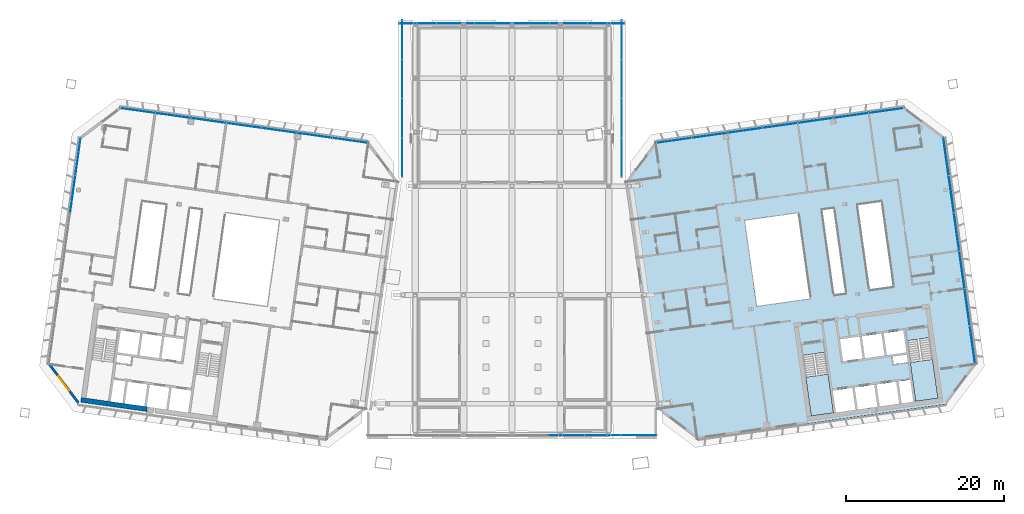
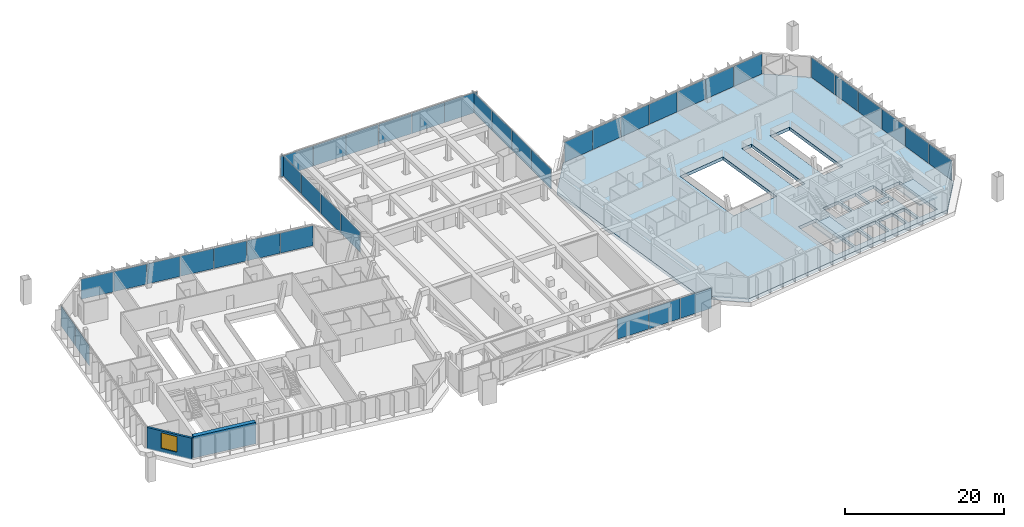
# One storey, part 17 of 30: 39 plates, 3 slabs, 2 walls, 1 window, 1 opening, 10 elements without a shape of their own.
"""IFC4 building model written with IfcOpenShell, lengths in metres."""

from ifc_helpers import new_model, si_unit, direction, frame, frame_2d, origin, origin_2d, place, context, subcontext, project, spatial, polyline, rectangle, outline, extrude, material, layer, layer_set, type_object, element, fill, aggregate, save


model = new_model("IFC4")

# Units and contexts
model_context = context("Model", 3, precision=1e-05, world=origin(), true_north=direction((0.0, 1.0)))
body_context = subcontext(model_context, "Body", "Model", "MODEL_VIEW")
ifc_project = project(units=[si_unit("LENGTHUNIT", "METRE"), si_unit("AREAUNIT", "SQUARE_METRE"), si_unit("VOLUMEUNIT", "CUBIC_METRE"), si_unit("PLANEANGLEUNIT", "RADIAN"), si_unit("MASSUNIT", "GRAM", prefix="KILO")], contexts=[model_context])

# Site, building, storey
site_placement = place(None, origin())
site = spatial("IfcSite", under=ifc_project, at=site_placement, CompositionType="ELEMENT")
building_placement = place(site_placement, origin())
building = spatial("IfcBuilding", under=site, at=building_placement, Name="Mirante Cascada Hotel Towers", CompositionType="ELEMENT")
storey_placement = place(building_placement, frame((0.0, 0.0, 258.4)))
storey = spatial("IfcBuildingStorey", under=building, at=storey_placement, Name="L62", CompositionType="ELEMENT", Elevation=258.4)

# Curtain wall, plates
ifc_material_1 = material(Name="Aluminium mullion and transom frame with clear laminated glass", Category="aluminium")
curtain_wall_type_1 = type_object("IfcCurtainWallType", Name="Ribbon curtain wall ECW1", PredefinedType="NOTDEFINED", material=ifc_material_1)
curtain_wall_1_placement = place(storey_placement, origin())
curtain_wall_1 = element("IfcCurtainWall", 1, at=curtain_wall_1_placement, inside=storey, type_object=curtain_wall_type_1, Name="Front ribbon wall T1 L62", PredefinedType="NOTDEFINED")
ifc_material_2 = material(Name="Clear laminated glass", Category="glass")
ifc_layer_1 = layer(ifc_material_2, 0.036)
ifc_layer_set_1 = layer_set([ifc_layer_1], Name="ECW1 glass panel 36")
plate_type_1 = type_object("IfcPlateType", Name="ECW1 glass panel 36", PredefinedType="CURTAIN_PANEL", material=ifc_layer_set_1)
plate_1_placement = place(storey_placement, frame((-47.3409, 19.4724, 0.1), z_axis=(0.0, 0.0, 1.0), x_axis=(0.9902681, -0.1391731, 0.0)))
plate_1 = element("IfcPlate", 2, at=plate_1_placement, type_object=plate_type_1, Name="ECW1 panel 1", PredefinedType="CURTAIN_PANEL", context=body_context, shape_type="SweptSolid", body=[
    extrude(rectangle(XDim=4.4247, YDim=0.036, at=origin_2d()), origin(), (0.0, 0.0, 1.0), 3.1),
])
plate_2_placement = place(storey_placement, frame((-42.8788, 18.8452, 0.1), z_axis=(0.0, 0.0, 1.0), x_axis=(0.9902681, -0.1391731, 0.0)))
plate_2 = element("IfcPlate", 3, at=plate_2_placement, type_object=plate_type_1, Name="ECW1 panel 2", PredefinedType="CURTAIN_PANEL", context=body_context, shape_type="SweptSolid", body=[
    extrude(rectangle(XDim=4.4572, YDim=0.036, at=origin_2d()), origin(), (0.0, 0.0, 1.0), 3.1),
])
plate_3_placement = place(storey_placement, frame((-38.4006, 18.2159, 0.1), z_axis=(0.0, 0.0, 1.0), x_axis=(0.9902681, -0.1391731, 0.0)))
plate_3 = element("IfcPlate", 4, at=plate_3_placement, type_object=plate_type_1, Name="ECW1 panel 3", PredefinedType="CURTAIN_PANEL", context=body_context, shape_type="SweptSolid", body=[
    extrude(rectangle(XDim=4.4572, YDim=0.036, at=origin_2d()), origin(), (0.0, 0.0, 1.0), 3.1),
])
plate_4_placement = place(storey_placement, frame((-33.9224, 17.5865, 0.1), z_axis=(0.0, 0.0, 1.0), x_axis=(0.9902681, -0.1391731, 0.0)))
plate_4 = element("IfcPlate", 5, at=plate_4_placement, type_object=plate_type_1, Name="ECW1 panel 4", PredefinedType="CURTAIN_PANEL", context=body_context, shape_type="SweptSolid", body=[
    extrude(rectangle(XDim=4.4572, YDim=0.036, at=origin_2d()), origin(), (0.0, 0.0, 1.0), 3.1),
])
plate_5_placement = place(storey_placement, frame((-29.4442, 16.9571, 0.1), z_axis=(0.0, 0.0, 1.0), x_axis=(0.9902681, -0.1391731, 0.0)))
plate_5 = element("IfcPlate", 6, at=plate_5_placement, type_object=plate_type_1, Name="ECW1 panel 5", PredefinedType="CURTAIN_PANEL", context=body_context, shape_type="SweptSolid", body=[
    extrude(rectangle(XDim=4.4572, YDim=0.036, at=origin_2d()), origin(), (0.0, 0.0, 1.0), 3.1),
])
plate_6_placement = place(storey_placement, frame((-24.966, 16.3278, 0.1), z_axis=(0.0, 0.0, 1.0), x_axis=(0.9902681, -0.1391731, 0.0)))
plate_6 = element("IfcPlate", 7, at=plate_6_placement, type_object=plate_type_1, Name="ECW1 panel 6", PredefinedType="CURTAIN_PANEL", context=body_context, shape_type="SweptSolid", body=[
    extrude(rectangle(XDim=4.4572, YDim=0.036, at=origin_2d()), origin(), (0.0, 0.0, 1.0), 3.1),
])
plate_7_placement = place(storey_placement, frame((-20.5039, 15.7007, 0.1), z_axis=(0.0, 0.0, 1.0), x_axis=(0.9902681, -0.1391731, 0.0)))
plate_7 = element("IfcPlate", 8, at=plate_7_placement, type_object=plate_type_1, Name="ECW1 panel 7", PredefinedType="CURTAIN_PANEL", context=body_context, shape_type="SweptSolid", body=[
    extrude(rectangle(XDim=4.4247, YDim=0.036, at=origin_2d()), origin(), (0.0, 0.0, 1.0), 3.1),
])
aggregate(curtain_wall_1, [plate_1, plate_2, plate_3, plate_4, plate_5, plate_6, plate_7])

curtain_wall_2_placement = place(storey_placement, origin())
curtain_wall_2 = element("IfcCurtainWall", 9, at=curtain_wall_2_placement, inside=storey, type_object=curtain_wall_type_1, Name="Front ribbon wall T2 L62", PredefinedType="NOTDEFINED")
plate_8_placement = place(storey_placement, frame((47.3409, 19.4724, 0.1), z_axis=(0.0, 0.0, 1.0), x_axis=(-0.9902681, -0.1391731, 0.0)))
plate_8 = element("IfcPlate", 10, at=plate_8_placement, type_object=plate_type_1, Name="ECW1 panel 1", PredefinedType="CURTAIN_PANEL", context=body_context, shape_type="SweptSolid", body=[
    extrude(rectangle(XDim=4.4247, YDim=0.036, at=origin_2d()), origin(), (0.0, 0.0, 1.0), 3.1),
])
plate_9_placement = place(storey_placement, frame((42.8788, 18.8452, 0.1), z_axis=(0.0, 0.0, 1.0), x_axis=(-0.9902681, -0.1391731, 0.0)))
plate_9 = element("IfcPlate", 11, at=plate_9_placement, type_object=plate_type_1, Name="ECW1 panel 2", PredefinedType="CURTAIN_PANEL", context=body_context, shape_type="SweptSolid", body=[
    extrude(rectangle(XDim=4.4572, YDim=0.036, at=origin_2d()), origin(), (0.0, 0.0, 1.0), 3.1),
])
plate_10_placement = place(storey_placement, frame((38.4006, 18.2159, 0.1), z_axis=(0.0, 0.0, 1.0), x_axis=(-0.9902681, -0.1391731, 0.0)))
plate_10 = element("IfcPlate", 12, at=plate_10_placement, type_object=plate_type_1, Name="ECW1 panel 3", PredefinedType="CURTAIN_PANEL", context=body_context, shape_type="SweptSolid", body=[
    extrude(rectangle(XDim=4.4572, YDim=0.036, at=origin_2d()), origin(), (0.0, 0.0, 1.0), 3.1),
])
plate_11_placement = place(storey_placement, frame((33.9224, 17.5865, 0.1), z_axis=(0.0, 0.0, 1.0), x_axis=(-0.9902681, -0.1391731, 0.0)))
plate_11 = element("IfcPlate", 13, at=plate_11_placement, type_object=plate_type_1, Name="ECW1 panel 4", PredefinedType="CURTAIN_PANEL", context=body_context, shape_type="SweptSolid", body=[
    extrude(rectangle(XDim=4.4572, YDim=0.036, at=origin_2d()), origin(), (0.0, 0.0, 1.0), 3.1),
])
plate_12_placement = place(storey_placement, frame((29.4442, 16.9571, 0.1), z_axis=(0.0, 0.0, 1.0), x_axis=(-0.9902681, -0.1391731, 0.0)))
plate_12 = element("IfcPlate", 14, at=plate_12_placement, type_object=plate_type_1, Name="ECW1 panel 5", PredefinedType="CURTAIN_PANEL", context=body_context, shape_type="SweptSolid", body=[
    extrude(rectangle(XDim=4.4572, YDim=0.036, at=origin_2d()), origin(), (0.0, 0.0, 1.0), 3.1),
])
plate_13_placement = place(storey_placement, frame((24.966, 16.3278, 0.1), z_axis=(0.0, 0.0, 1.0), x_axis=(-0.9902681, -0.1391731, 0.0)))
plate_13 = element("IfcPlate", 15, at=plate_13_placement, type_object=plate_type_1, Name="ECW1 panel 6", PredefinedType="CURTAIN_PANEL", context=body_context, shape_type="SweptSolid", body=[
    extrude(rectangle(XDim=4.4572, YDim=0.036, at=origin_2d()), origin(), (0.0, 0.0, 1.0), 3.1),
])
plate_14_placement = place(storey_placement, frame((20.5039, 15.7007, 0.1), z_axis=(0.0, 0.0, 1.0), x_axis=(-0.9902681, -0.1391731, 0.0)))
plate_14 = element("IfcPlate", 16, at=plate_14_placement, type_object=plate_type_1, Name="ECW1 panel 7", PredefinedType="CURTAIN_PANEL", context=body_context, shape_type="SweptSolid", body=[
    extrude(rectangle(XDim=4.4247, YDim=0.036, at=origin_2d()), origin(), (0.0, 0.0, 1.0), 3.1),
])
aggregate(curtain_wall_2, [plate_8, plate_9, plate_10, plate_11, plate_12, plate_13, plate_14])

ifc_material_3 = material(Name="Aluminium mullion and transom frame with clear laminated glass", Category="aluminium")
curtain_wall_type_2 = type_object("IfcCurtainWallType", Name="End ribbon curtain wall ECW2", PredefinedType="NOTDEFINED", material=ifc_material_3)
curtain_wall_3_placement = place(storey_placement, origin())
curtain_wall_3 = element("IfcCurtainWall", 17, at=curtain_wall_3_placement, inside=storey, type_object=curtain_wall_type_2, Name="Outer end wall T1 L62", PredefinedType="NOTDEFINED")
ifc_material_4 = material(Name="Clear laminated glass", Category="glass")
ifc_layer_2 = layer(ifc_material_4, 0.034)
ifc_layer_set_2 = layer_set([ifc_layer_2], Name="ECW2 glass panel 34")
plate_type_2 = type_object("IfcPlateType", Name="ECW2 glass panel 34", PredefinedType="CURTAIN_PANEL", material=ifc_layer_set_2)
plate_15_placement = place(storey_placement, frame((-55.584, 8.8855, 0.1), z_axis=(0.0, 0.0, 1.0), x_axis=(0.1391731, 0.9902681, 0.0)))
plate_15 = element("IfcPlate", 18, at=plate_15_placement, type_object=plate_type_2, Name="ECW2 panel 5", PredefinedType="CURTAIN_PANEL", context=body_context, shape_type="SweptSolid", body=[
    extrude(rectangle(XDim=4.7476, YDim=0.034, at=origin_2d()), origin(), (0.0, 0.0, 1.0), 3.1),
])
plate_16_placement = place(storey_placement, frame((-54.9165, 13.6352, 0.1), z_axis=(0.0, 0.0, 1.0), x_axis=(0.1391731, 0.9902681, 0.0)))
plate_16 = element("IfcPlate", 19, at=plate_16_placement, type_object=plate_type_2, Name="ECW2 panel 6", PredefinedType="CURTAIN_PANEL", context=body_context, shape_type="SweptSolid", body=[
    extrude(rectangle(XDim=4.7151, YDim=0.034, at=origin_2d()), origin(), (0.0, 0.0, 1.0), 3.1),
])
aggregate(curtain_wall_3, [plate_15, plate_16])

curtain_wall_4_placement = place(storey_placement, origin())
curtain_wall_4 = element("IfcCurtainWall", 20, at=curtain_wall_4_placement, inside=storey, type_object=curtain_wall_type_2, Name="Outer end wall T2 L62", PredefinedType="NOTDEFINED")
plate_17_placement = place(storey_placement, frame((58.2609, -10.1616, 0.1), z_axis=(0.0, 0.0, 1.0), x_axis=(-0.1391731, 0.9902681, 0.0)))
plate_17 = element("IfcPlate", 21, at=plate_17_placement, type_object=plate_type_2, Name="ECW2 panel 1", PredefinedType="CURTAIN_PANEL", context=body_context, shape_type="SweptSolid", body=[
    extrude(rectangle(XDim=4.7151, YDim=0.034, at=origin_2d()), origin(), (0.0, 0.0, 1.0), 3.1),
])
plate_18_placement = place(storey_placement, frame((57.5934, -5.4119, 0.1), z_axis=(0.0, 0.0, 1.0), x_axis=(-0.1391731, 0.9902681, 0.0)))
plate_18 = element("IfcPlate", 22, at=plate_18_placement, type_object=plate_type_2, Name="ECW2 panel 2", PredefinedType="CURTAIN_PANEL", context=body_context, shape_type="SweptSolid", body=[
    extrude(rectangle(XDim=4.7476, YDim=0.034, at=origin_2d()), origin(), (0.0, 0.0, 1.0), 3.1),
])
plate_19_placement = place(storey_placement, frame((56.9236, -0.6461, 0.1), z_axis=(0.0, 0.0, 1.0), x_axis=(-0.1391731, 0.9902681, 0.0)))
plate_19 = element("IfcPlate", 23, at=plate_19_placement, type_object=plate_type_2, Name="ECW2 panel 3", PredefinedType="CURTAIN_PANEL", context=body_context, shape_type="SweptSolid", body=[
    extrude(rectangle(XDim=4.7476, YDim=0.034, at=origin_2d()), origin(), (0.0, 0.0, 1.0), 3.1),
])
plate_20_placement = place(storey_placement, frame((56.2538, 4.1197, 0.1), z_axis=(0.0, 0.0, 1.0), x_axis=(-0.1391731, 0.9902681, 0.0)))
plate_20 = element("IfcPlate", 24, at=plate_20_placement, type_object=plate_type_2, Name="ECW2 panel 4", PredefinedType="CURTAIN_PANEL", context=body_context, shape_type="SweptSolid", body=[
    extrude(rectangle(XDim=4.7476, YDim=0.034, at=origin_2d()), origin(), (0.0, 0.0, 1.0), 3.1),
])
plate_21_placement = place(storey_placement, frame((55.584, 8.8855, 0.1), z_axis=(0.0, 0.0, 1.0), x_axis=(-0.1391731, 0.9902681, 0.0)))
plate_21 = element("IfcPlate", 25, at=plate_21_placement, type_object=plate_type_2, Name="ECW2 panel 5", PredefinedType="CURTAIN_PANEL", context=body_context, shape_type="SweptSolid", body=[
    extrude(rectangle(XDim=4.7476, YDim=0.034, at=origin_2d()), origin(), (0.0, 0.0, 1.0), 3.1),
])
plate_22_placement = place(storey_placement, frame((54.9165, 13.6352, 0.1), z_axis=(0.0, 0.0, 1.0), x_axis=(-0.1391731, 0.9902681, 0.0)))
plate_22 = element("IfcPlate", 26, at=plate_22_placement, type_object=plate_type_2, Name="ECW2 panel 6", PredefinedType="CURTAIN_PANEL", context=body_context, shape_type="SweptSolid", body=[
    extrude(rectangle(XDim=4.7151, YDim=0.034, at=origin_2d()), origin(), (0.0, 0.0, 1.0), 3.1),
])
aggregate(curtain_wall_4, [plate_17, plate_18, plate_19, plate_20, plate_21, plate_22])

ifc_material_5 = material(Name="Aluminium mullion and transom frame with clear laminated glass", Category="aluminium")
curtain_wall_type_3 = type_object("IfcCurtainWallType", Name="Sky park deck curtain wall ECW5", PredefinedType="NOTDEFINED", material=ifc_material_5)
curtain_wall_5_placement = place(storey_placement, origin())
curtain_wall_5 = element("IfcCurtainWall", 27, at=curtain_wall_5_placement, inside=storey, type_object=curtain_wall_type_3, Name="Sky park glazing L62 run 1", PredefinedType="NOTDEFINED")
ifc_material_6 = material(Name="Clear laminated glass", Category="glass")
ifc_layer_3 = layer(ifc_material_6, 0.032)
ifc_layer_set_3 = layer_set([ifc_layer_3], Name="ECW5 glass panel 32")
plate_type_3 = type_object("IfcPlateType", Name="ECW5 glass panel 32", PredefinedType="CURTAIN_PANEL", material=ifc_layer_set_3)
plate_23_placement = place(storey_placement, frame((16.0609, -21.6089, 0.09), z_axis=(0.0, 0.0, 1.0), x_axis=(1.0, 0.0, 0.0)))
plate_23 = element("IfcPlate", 28, at=plate_23_placement, type_object=plate_type_3, Name="ECW5 panel 8", PredefinedType="CURTAIN_PANEL", context=body_context, shape_type="SweptSolid", body=[
    extrude(rectangle(XDim=4.5031, YDim=0.032, at=origin_2d()), origin(), (0.0, 0.0, 1.0), 3.12),
])
ifc_material_7 = material(Name="Insulated aluminium spandrel panel", Category="aluminium")
ifc_layer_4 = layer(ifc_material_7, 0.032)
ifc_layer_set_4 = layer_set([ifc_layer_4], Name="ECW5 spandrel panel 32")
plate_type_4 = type_object("IfcPlateType", Name="ECW5 spandrel panel 32", PredefinedType="CURTAIN_PANEL", material=ifc_layer_set_4)
plate_24_placement = place(storey_placement, frame((6.8897, -21.6089, 0.09), z_axis=(0.0, 0.0, 1.0), x_axis=(1.0, 0.0, 0.0)))
plate_24 = element("IfcPlate", 29, at=plate_24_placement, type_object=plate_type_4, Name="ECW5 panel 6", PredefinedType="CURTAIN_PANEL", context=body_context, shape_type="SweptSolid", body=[
    extrude(rectangle(XDim=4.5331, YDim=0.032, at=origin_2d()), origin(), (0.0, 0.0, 1.0), 3.12),
])
plate_25_placement = place(storey_placement, frame((11.4828, -21.6089, 0.09), z_axis=(0.0, 0.0, 1.0), x_axis=(1.0, 0.0, 0.0)))
plate_25 = element("IfcPlate", 30, at=plate_25_placement, type_object=plate_type_4, Name="ECW5 panel 7", PredefinedType="CURTAIN_PANEL", context=body_context, shape_type="SweptSolid", body=[
    extrude(rectangle(XDim=4.5331, YDim=0.032, at=origin_2d()), origin(), (0.0, 0.0, 1.0), 3.12),
])
aggregate(curtain_wall_5, [plate_24, plate_25, plate_23])

curtain_wall_6_placement = place(storey_placement, origin())
curtain_wall_6 = element("IfcCurtainWall", 31, at=curtain_wall_6_placement, inside=storey, type_object=curtain_wall_type_3, Name="Sky park glazing L62 run 2", PredefinedType="NOTDEFINED")
plate_26_placement = place(storey_placement, frame((13.8864, 13.5436, 0.09), z_axis=(0.0, 0.0, 1.0), x_axis=(0.0, 1.0, 0.0)))
plate_26 = element("IfcPlate", 32, at=plate_26_placement, type_object=plate_type_4, Name="ECW5 panel 1", PredefinedType="CURTAIN_PANEL", context=body_context, shape_type="SweptSolid", body=[
    extrude(rectangle(XDim=4.885, YDim=0.032, at=origin_2d()), origin(), (0.0, 0.0, 1.0), 3.12),
])
plate_27_placement = place(storey_placement, frame((13.8864, 18.5036, 0.09), z_axis=(0.0, 0.0, 1.0), x_axis=(0.0, 1.0, 0.0)))
plate_27 = element("IfcPlate", 33, at=plate_27_placement, type_object=plate_type_4, Name="ECW5 panel 2", PredefinedType="CURTAIN_PANEL", context=body_context, shape_type="SweptSolid", body=[
    extrude(rectangle(XDim=4.915, YDim=0.032, at=origin_2d()), origin(), (0.0, 0.0, 1.0), 3.12),
])
plate_28_placement = place(storey_placement, frame((13.8864, 23.4786, 0.09), z_axis=(0.0, 0.0, 1.0), x_axis=(0.0, 1.0, 0.0)))
plate_28 = element("IfcPlate", 34, at=plate_28_placement, type_object=plate_type_4, Name="ECW5 panel 3", PredefinedType="CURTAIN_PANEL", context=body_context, shape_type="SweptSolid", body=[
    extrude(rectangle(XDim=4.915, YDim=0.032, at=origin_2d()), origin(), (0.0, 0.0, 1.0), 3.12),
])
plate_29_placement = place(storey_placement, frame((13.8864, 28.4386, 0.09), z_axis=(0.0, 0.0, 1.0), x_axis=(0.0, 1.0, 0.0)))
plate_29 = element("IfcPlate", 35, at=plate_29_placement, type_object=plate_type_4, Name="ECW5 panel 4", PredefinedType="CURTAIN_PANEL", context=body_context, shape_type="SweptSolid", body=[
    extrude(rectangle(XDim=4.885, YDim=0.032, at=origin_2d()), origin(), (0.0, 0.0, 1.0), 3.12),
])
aggregate(curtain_wall_6, [plate_26, plate_27, plate_28, plate_29])

curtain_wall_7_placement = place(storey_placement, origin())
curtain_wall_7 = element("IfcCurtainWall", 36, at=curtain_wall_7_placement, inside=storey, type_object=curtain_wall_type_3, Name="Sky park glazing L62 run 3", PredefinedType="NOTDEFINED")
plate_30_placement = place(storey_placement, frame((11.932, 30.4911, 0.09), z_axis=(0.0, 0.0, 1.0), x_axis=(-1.0, 0.0, 0.0)))
plate_30 = element("IfcPlate", 37, at=plate_30_placement, type_object=plate_type_4, Name="ECW5 panel 1", PredefinedType="CURTAIN_PANEL", context=body_context, shape_type="SweptSolid", body=[
    extrude(rectangle(XDim=4.6888, YDim=0.032, at=origin_2d()), origin(), (0.0, 0.0, 1.0), 3.12),
])
plate_31_placement = place(storey_placement, frame((7.1682, 30.4911, 0.09), z_axis=(0.0, 0.0, 1.0), x_axis=(-1.0, 0.0, 0.0)))
plate_31 = element("IfcPlate", 38, at=plate_31_placement, type_object=plate_type_4, Name="ECW5 panel 2", PredefinedType="CURTAIN_PANEL", context=body_context, shape_type="SweptSolid", body=[
    extrude(rectangle(XDim=4.7188, YDim=0.032, at=origin_2d()), origin(), (0.0, 0.0, 1.0), 3.12),
])
plate_32_placement = place(storey_placement, frame((2.3894, 30.4911, 0.09), z_axis=(0.0, 0.0, 1.0), x_axis=(-1.0, 0.0, 0.0)))
plate_32 = element("IfcPlate", 39, at=plate_32_placement, type_object=plate_type_4, Name="ECW5 panel 3", PredefinedType="CURTAIN_PANEL", context=body_context, shape_type="SweptSolid", body=[
    extrude(rectangle(XDim=4.7188, YDim=0.032, at=origin_2d()), origin(), (0.0, 0.0, 1.0), 3.12),
])
plate_33_placement = place(storey_placement, frame((-2.3894, 30.4911, 0.09), z_axis=(0.0, 0.0, 1.0), x_axis=(-1.0, 0.0, 0.0)))
plate_33 = element("IfcPlate", 40, at=plate_33_placement, type_object=plate_type_4, Name="ECW5 panel 4", PredefinedType="CURTAIN_PANEL", context=body_context, shape_type="SweptSolid", body=[
    extrude(rectangle(XDim=4.7188, YDim=0.032, at=origin_2d()), origin(), (0.0, 0.0, 1.0), 3.12),
])
plate_34_placement = place(storey_placement, frame((-7.1682, 30.4911, 0.09), z_axis=(0.0, 0.0, 1.0), x_axis=(-1.0, 0.0, 0.0)))
plate_34 = element("IfcPlate", 41, at=plate_34_placement, type_object=plate_type_4, Name="ECW5 panel 5", PredefinedType="CURTAIN_PANEL", context=body_context, shape_type="SweptSolid", body=[
    extrude(rectangle(XDim=4.7188, YDim=0.032, at=origin_2d()), origin(), (0.0, 0.0, 1.0), 3.12),
])
plate_35_placement = place(storey_placement, frame((-11.932, 30.4911, 0.09), z_axis=(0.0, 0.0, 1.0), x_axis=(-1.0, 0.0, 0.0)))
plate_35 = element("IfcPlate", 42, at=plate_35_placement, type_object=plate_type_4, Name="ECW5 panel 6", PredefinedType="CURTAIN_PANEL", context=body_context, shape_type="SweptSolid", body=[
    extrude(rectangle(XDim=4.6888, YDim=0.032, at=origin_2d()), origin(), (0.0, 0.0, 1.0), 3.12),
])
aggregate(curtain_wall_7, [plate_30, plate_31, plate_32, plate_33, plate_34, plate_35])

curtain_wall_8_placement = place(storey_placement, origin())
curtain_wall_8 = element("IfcCurtainWall", 43, at=curtain_wall_8_placement, inside=storey, type_object=curtain_wall_type_3, Name="Sky park glazing L62 run 4", PredefinedType="NOTDEFINED")
plate_36_placement = place(storey_placement, frame((-13.8864, 28.4386, 0.09), z_axis=(0.0, 0.0, 1.0), x_axis=(0.0, -1.0, 0.0)))
plate_36 = element("IfcPlate", 44, at=plate_36_placement, type_object=plate_type_4, Name="ECW5 panel 1", PredefinedType="CURTAIN_PANEL", context=body_context, shape_type="SweptSolid", body=[
    extrude(rectangle(XDim=4.885, YDim=0.032, at=origin_2d()), origin(), (0.0, 0.0, 1.0), 3.12),
])
plate_37_placement = place(storey_placement, frame((-13.8864, 23.4786, 0.09), z_axis=(0.0, 0.0, 1.0), x_axis=(0.0, -1.0, 0.0)))
plate_37 = element("IfcPlate", 45, at=plate_37_placement, type_object=plate_type_4, Name="ECW5 panel 2", PredefinedType="CURTAIN_PANEL", context=body_context, shape_type="SweptSolid", body=[
    extrude(rectangle(XDim=4.915, YDim=0.032, at=origin_2d()), origin(), (0.0, 0.0, 1.0), 3.12),
])
plate_38_placement = place(storey_placement, frame((-13.8864, 18.5036, 0.09), z_axis=(0.0, 0.0, 1.0), x_axis=(0.0, -1.0, 0.0)))
plate_38 = element("IfcPlate", 46, at=plate_38_placement, type_object=plate_type_4, Name="ECW5 panel 3", PredefinedType="CURTAIN_PANEL", context=body_context, shape_type="SweptSolid", body=[
    extrude(rectangle(XDim=4.915, YDim=0.032, at=origin_2d()), origin(), (0.0, 0.0, 1.0), 3.12),
])
plate_39_placement = place(storey_placement, frame((-13.8864, 13.5436, 0.09), z_axis=(0.0, 0.0, 1.0), x_axis=(0.0, -1.0, 0.0)))
plate_39 = element("IfcPlate", 47, at=plate_39_placement, type_object=plate_type_4, Name="ECW5 panel 4", PredefinedType="CURTAIN_PANEL", context=body_context, shape_type="SweptSolid", body=[
    extrude(rectangle(XDim=4.885, YDim=0.032, at=origin_2d()), origin(), (0.0, 0.0, 1.0), 3.12),
])
aggregate(curtain_wall_8, [plate_36, plate_37, plate_38, plate_39])

# Stair, slab
ifc_material_8 = material(Name="Concrete C35/45", Category="concrete")
stair_type = type_object("IfcStairType", Name="Exit stair half-turn 1350 concrete C35/45", PredefinedType="HALF_TURN_STAIR", material=ifc_material_8)
stair_1_placement = place(storey_placement, origin())
stair_1 = element("IfcStair", 48, at=stair_1_placement, inside=storey, type_object=stair_type, Name="L62 Exit stair A", PredefinedType="HALF_TURN_STAIR")
ifc_material_9 = material(Name="Concrete C35/45", Category="concrete")
ifc_layer_5 = layer(ifc_material_9, 0.2)
ifc_layer_set_5 = layer_set([ifc_layer_5], Name="Exit stair landing 200 concrete C35/45")
slab_type_1 = type_object("IfcSlabType", Name="Exit stair landing 200 concrete C35/45", PredefinedType="LANDING", material=ifc_layer_set_5)
slab_1_placement = place(storey_placement, frame((0.0, 0.0, 1.7)))
slab_1 = element("IfcSlab", 49, at=slab_1_placement, type_object=slab_type_1, Name="ST2-A landing 1", PredefinedType="LANDING", context=body_context, shape_type="SweptSolid", body=[
    extrude(outline(polyline([(37.1765, -14.2626), (37.8665, -19.1723), (40.6887, -18.7757), (39.9987, -13.8659), (37.1765, -14.2626)])), origin(), (0.0, 0.0, 1.0), 0.2),
])
aggregate(stair_1, [slab_1])

stair_2_placement = place(storey_placement, origin())
stair_2 = element("IfcStair", 50, at=stair_2_placement, inside=storey, type_object=stair_type, Name="L62 Exit stair B", PredefinedType="HALF_TURN_STAIR")
slab_2_placement = place(storey_placement, frame((0.0, 0.0, 1.7)))
slab_2 = element("IfcSlab", 51, at=slab_2_placement, type_object=slab_type_1, Name="ST2-B landing 1", PredefinedType="LANDING", context=body_context, shape_type="SweptSolid", body=[
    extrude(outline(polyline([(50.3965, -12.4046), (51.0866, -17.3144), (53.9088, -16.9177), (53.2188, -12.008), (50.3965, -12.4046)])), origin(), (0.0, 0.0, 1.0), 0.2),
])
aggregate(stair_2, [slab_2])

# Slab
ifc_material_10 = material(Name="Concrete C40/50", Category="concrete")
ifc_layer_6 = layer(ifc_material_10, 0.5)
ifc_layer_set_6 = layer_set([ifc_layer_6], Name="Post-tensioned flat plate 500 Concrete C40/50")
slab_type_2 = type_object("IfcSlabType", Name="Post-tensioned flat plate 500 Concrete C40/50", PredefinedType="FLOOR", material=ifc_layer_set_6)
slab_3_placement = place(storey_placement, frame((0.0, 0.0, -0.5)))
element("IfcSlab", 52, at=slab_3_placement, inside=storey, type_object=slab_type_2, Name="Floor T2 L62", PredefinedType="FLOOR", context=body_context, shape_type="SweptSolid", body=[
    extrude(outline(polyline([(18.3724, -18.2766), (14.3364, 10.4411), (18.1663, 15.5236), (49.6367, 19.9465), (54.7192, 16.1166), (58.7552, -12.6012), (54.9253, -17.6837), (23.4549, -22.1066), (18.3724, -18.2766)]), holes=[polyline([(40.5961, -15.9612), (40.9858, -18.7339), (43.4615, -18.386), (43.0718, -15.6132), (40.5961, -15.9612)]), polyline([(43.3689, -15.5715), (43.7586, -18.3442), (46.2342, -17.9963), (45.8446, -15.2236), (43.3689, -15.5715)]), polyline([(40.6887, -18.7757), (39.611, -11.107), (36.7887, -11.5037), (37.8665, -19.1723), (40.6887, -18.7757)]), polyline([(43.9775, -9.124), (41.5018, -9.472), (41.8915, -12.2447), (44.3672, -11.8968), (43.9775, -9.124)]), polyline([(46.7503, -8.7344), (44.2746, -9.0823), (44.6643, -11.855), (47.1399, -11.5071), (46.7503, -8.7344)]), polyline([(30.9693, -5.2972), (29.4384, 5.5958), (36.2496, 6.553), (37.7805, -4.3399), (30.9693, -5.2972)]), polyline([(40.7533, -3.9221), (40.7533, -3.9221), (39.2224, 6.9708), (40.7454, 7.1849), (42.2763, -3.7081), (42.2763, -3.7081), (40.7533, -3.9221)]), polyline([(46.7671, 8.0312), (48.298, -2.8618), (45.2491, -3.2903), (45.2491, -3.2903), (43.7182, 7.6027), (46.7671, 8.0312)]), polyline([(48.6173, -14.8339), (46.1416, -15.1818), (46.5313, -17.9546), (49.007, -17.6066), (48.6173, -14.8339)]), polyline([(50.3998, -14.5834), (48.9144, -14.7921), (49.3041, -17.5649), (50.7895, -17.3561), (50.3998, -14.5834)]), polyline([(53.9088, -16.9177), (52.8311, -9.2491), (50.0088, -9.6457), (51.0866, -17.3144), (53.9088, -16.9177)]), polyline([(49.9544, -11.4145), (48.1472, -11.6685), (48.2829, -12.634), (50.0901, -12.38), (49.9544, -11.4145)]), polyline([(49.523, -8.3447), (47.0473, -8.6926), (47.437, -11.4654), (49.9127, -11.1174), (49.523, -8.3447)])]), origin(), (0.0, 0.0, 1.0), 0.5),
])

# Wall, opening, window
ifc_material_11 = material(Name="Precast concrete C40/50", Category="concrete")
ifc_layer_7 = layer(ifc_material_11, 0.3)
ifc_layer_set_7 = layer_set([ifc_layer_7], Name="Precast concrete C40/50 cladding wall 300")
wall_type_1 = type_object("IfcWallType", Name="Precast concrete C40/50 cladding wall 300", PredefinedType="STANDARD", material=ifc_layer_set_7)
wall_1_placement = place(storey_placement, frame((-54.8802, -17.4943, 0.0), z_axis=(0.0, 0.0, 1.0), x_axis=(-0.6018141, 0.7986362, 0.0)))
wall_1 = element("IfcWall", 53, at=wall_1_placement, inside=storey, type_object=wall_type_1, Name="Corner cladding wall T1 L62 rear outer", PredefinedType="STANDARD", context=body_context, shape_type="SweptSolid", body=[
    extrude(rectangle(XDim=6.1157, YDim=0.3, at=frame_2d((3.0578, 0.0))), origin(), (0.0, 0.0, 1.0), 3.3),
])
opening_placement = place(wall_1_placement, frame((1.9578, 0.0, 0.6)))
opening = element("IfcOpeningElement", 54, at=opening_placement, cuts=wall_1, Name="Opening W1-62-04", PredefinedType="OPENING", context=body_context, shape_type="SweptSolid", body=[
    extrude(rectangle(XDim=2.2, YDim=2.4, at=frame_2d((1.1, 1.2))), frame((0.0, 0.15, 0.0), z_axis=(0.0, -1.0, 0.0), x_axis=(1.0, 0.0, 0.0)), (0.0, 0.0, 1.0), 0.3),
])
ifc_material_12 = material(Name="Aluminium frame with clear double glazing", Category="aluminium")
window_type = type_object("IfcWindowType", Name="Corner suite window 2200x2400", PartitioningType="DOUBLE_PANEL_VERTICAL", PredefinedType="WINDOW", material=ifc_material_12)
window_placement = place(opening_placement, origin())
window = element("IfcWindow", 55, at=window_placement, inside=storey, type_object=window_type, Name="Window W1-62-04", OverallHeight=2.4, OverallWidth=2.2, PartitioningType="SINGLE_PANEL", PredefinedType="WINDOW", context=body_context, shape_type="SweptSolid", body=[
    extrude(rectangle(XDim=2.2, YDim=2.4, at=frame_2d((1.1, 1.2))), frame((0.0, 0.03, 0.0), z_axis=(0.0, -1.0, 0.0), x_axis=(1.0, 0.0, 0.0)), (0.0, 0.0, 1.0), 0.06),
])
fill(opening, window)

# Wall
ifc_material_13 = material(Name="Concrete C50/60", Category="concrete")
ifc_layer_8 = layer(ifc_material_13, 0.6)
ifc_layer_set_8 = layer_set([ifc_layer_8], Name="RC core wall 600 C50/60")
wall_type_2 = type_object("IfcWallType", Name="RC core wall 600 C50/60", PredefinedType="SHEAR", material=ifc_layer_set_8)
wall_2_placement = place(storey_placement, frame((-46.1837, -18.3064, 0.0), z_axis=(0.0, 0.0, 1.0), x_axis=(-0.9902674, 0.1391775, 0.0)))
element("IfcWall", 56, at=wall_2_placement, inside=storey, type_object=wall_type_2, Name="Core wall T1:L62:1.2", PredefinedType="SHEAR", context=body_context, shape_type="SweptSolid", body=[
    extrude(rectangle(XDim=8.4432, YDim=0.6, at=frame_2d((4.2216, 0.0))), origin(), (0.0, 0.0, 1.0), 3.3),
])

save(model, "model.ifc")
